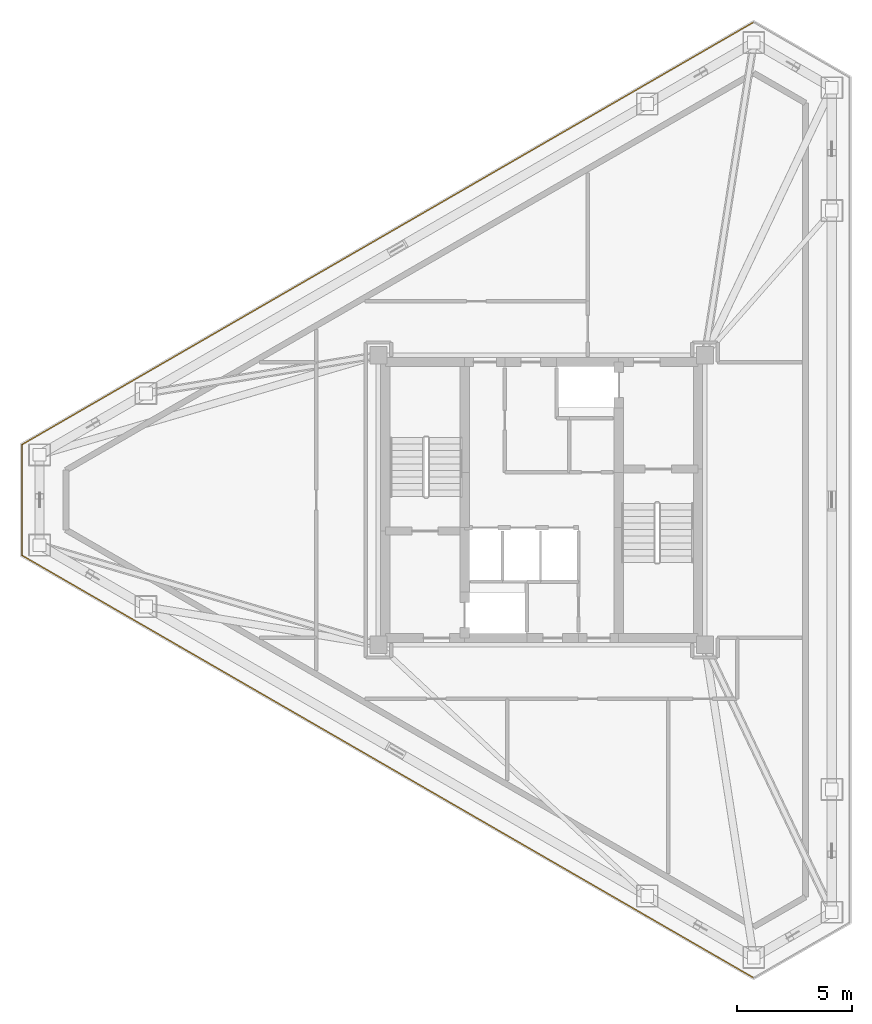
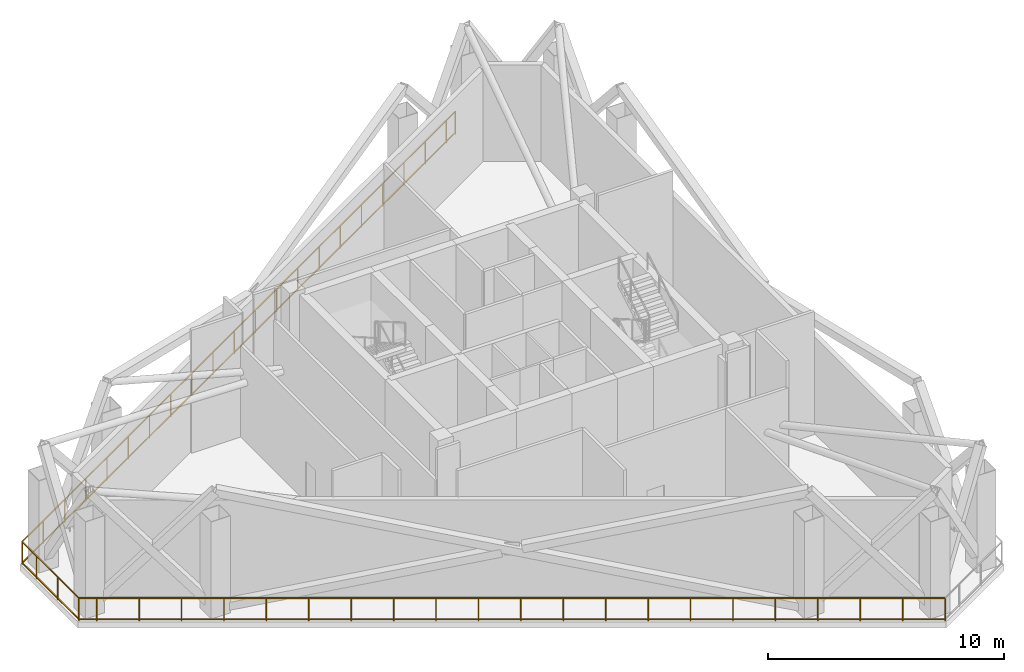
# One storey, part 5 of 6: 3 railings.
"""IFC4 building model written with IfcOpenShell, lengths in metres."""

from ifc_helpers import new_model, si_unit, direction, frame, origin, origin_2d, place, context, subcontext, project, spatial, rectangle, extrude, material, type_object, element, save


model = new_model("IFC4")

# Units and contexts
model_context = context("Model", 3, precision=1e-05, world=origin(), true_north=direction((0.0, 1.0)))
body_context = subcontext(model_context, "Body", "Model", "MODEL_VIEW")
ifc_project = project(units=[si_unit("LENGTHUNIT", "METRE"), si_unit("AREAUNIT", "SQUARE_METRE"), si_unit("VOLUMEUNIT", "CUBIC_METRE"), si_unit("PLANEANGLEUNIT", "RADIAN"), si_unit("MASSUNIT", "GRAM", prefix="KILO")], contexts=[model_context])

# Site, building, storey
site_placement = place(None, origin())
site = spatial("IfcSite", under=ifc_project, at=site_placement, CompositionType="ELEMENT")
building_placement = place(site_placement, origin())
building = spatial("IfcBuilding", under=site, at=building_placement, Name="Mersakhor Tower and Convention Hall", CompositionType="ELEMENT")
storey_placement = place(building_placement, frame((0.0, 0.0, 160.800048828125)))
storey = spatial("IfcBuildingStorey", under=building, at=storey_placement, Name="L45", CompositionType="ELEMENT", Elevation=160.800048828125)

# Railings
ifc_material = material(Name="Powder-coated galvanised steel and laminated glass balustrade", Category="steel")
railing_type = type_object("IfcRailingType", Name="RL-BAL-1200", PredefinedType="BALUSTRADE", material=ifc_material)
railing_1_placement = place(storey_placement, frame((6.390380859375, 29.15673828125, 0.0)))
element("IfcRailing", 1, at=railing_1_placement, inside=storey, type_object=railing_type, Name="L45 Open Wind Deck Perimeter Balustrade 1", PredefinedType="BALUSTRADE", context=body_context, shape_type="SweptSolid", body=[
    extrude(rectangle(XDim=0.048095703125, YDim=0.048095703125, at=origin_2d()), frame((0.0, 0.0, 1.17578125), z_axis=(0.86602430704, 0.500001899612, 0.0), x_axis=(-0.500001899612, 0.86602430704, 0.0)), (0.0, 0.0, 1.0), 36.754150390625),
    extrude(rectangle(XDim=0.048095703125, YDim=0.048095703125, at=origin_2d()), frame((0.0, 0.0, 0.080078125), z_axis=(0.86602430704, 0.500001899612, 0.0), x_axis=(-0.500001899612, 0.86602430704, 0.0)), (0.0, 0.0, 1.0), 36.754150390625),
    extrude(rectangle(XDim=0.0419921875, YDim=0.0419921875, at=origin_2d()), origin(), (0.0, 0.0, 1.0), 1.15185546875),
    extrude(rectangle(XDim=0.0419921875, YDim=0.0419921875, at=origin_2d()), frame((1.558837890625, 0.89990234375, 0.0)), (0.0, 0.0, 1.0), 1.15185546875),
    extrude(rectangle(XDim=0.0419921875, YDim=0.0419921875, at=origin_2d()), frame((3.11767578125, 1.800048828125, 0.0)), (0.0, 0.0, 1.0), 1.15185546875),
    extrude(rectangle(XDim=0.0419921875, YDim=0.0419921875, at=origin_2d()), frame((4.676513671875, 2.699951171875, 0.0)), (0.0, 0.0, 1.0), 1.15185546875),
    extrude(rectangle(XDim=0.0419921875, YDim=0.0419921875, at=origin_2d()), frame((6.2353515625, 3.60009765625, 0.0)), (0.0, 0.0, 1.0), 1.15185546875),
    extrude(rectangle(XDim=0.0419921875, YDim=0.0419921875, at=origin_2d()), frame((7.794189453125, 4.5, 0.0)), (0.0, 0.0, 1.0), 1.15185546875),
    extrude(rectangle(XDim=0.0419921875, YDim=0.0419921875, at=origin_2d()), frame((9.35302734375, 5.39990234375, 0.0)), (0.0, 0.0, 1.0), 1.15185546875),
    extrude(rectangle(XDim=0.0419921875, YDim=0.0419921875, at=origin_2d()), frame((10.911865234375, 6.300048828125, 0.0)), (0.0, 0.0, 1.0), 1.15185546875),
    extrude(rectangle(XDim=0.0419921875, YDim=0.0419921875, at=origin_2d()), frame((12.470703125, 7.199951171875, 0.0)), (0.0, 0.0, 1.0), 1.15185546875),
    extrude(rectangle(XDim=0.0419921875, YDim=0.0419921875, at=origin_2d()), frame((14.029541015625, 8.10009765625, 0.0)), (0.0, 0.0, 1.0), 1.15185546875),
    extrude(rectangle(XDim=0.0419921875, YDim=0.0419921875, at=origin_2d()), frame((15.58837890625, 9.0, 0.0)), (0.0, 0.0, 1.0), 1.15185546875),
    extrude(rectangle(XDim=0.0419921875, YDim=0.0419921875, at=origin_2d()), frame((17.147216796875, 9.900146484375, 0.0)), (0.0, 0.0, 1.0), 1.15185546875),
    extrude(rectangle(XDim=0.0419921875, YDim=0.0419921875, at=origin_2d()), frame((18.7060546875, 10.800048828125, 0.0)), (0.0, 0.0, 1.0), 1.15185546875),
    extrude(rectangle(XDim=0.0419921875, YDim=0.0419921875, at=origin_2d()), frame((20.264892578125, 11.699951171875, 0.0)), (0.0, 0.0, 1.0), 1.15185546875),
    extrude(rectangle(XDim=0.0419921875, YDim=0.0419921875, at=origin_2d()), frame((21.82373046875, 12.60009765625, 0.0)), (0.0, 0.0, 1.0), 1.15185546875),
    extrude(rectangle(XDim=0.0419921875, YDim=0.0419921875, at=origin_2d()), frame((23.382568359375, 13.5, 0.0)), (0.0, 0.0, 1.0), 1.15185546875),
    extrude(rectangle(XDim=0.0419921875, YDim=0.0419921875, at=origin_2d()), frame((24.94140625, 14.400146484375, 0.0)), (0.0, 0.0, 1.0), 1.15185546875),
    extrude(rectangle(XDim=0.0419921875, YDim=0.0419921875, at=origin_2d()), frame((26.500244140625, 15.300048828125, 0.0)), (0.0, 0.0, 1.0), 1.15185546875),
    extrude(rectangle(XDim=0.0419921875, YDim=0.0419921875, at=origin_2d()), frame((28.05908203125, 16.199951171875, 0.0)), (0.0, 0.0, 1.0), 1.15185546875),
    extrude(rectangle(XDim=0.0419921875, YDim=0.0419921875, at=origin_2d()), frame((29.617919921875, 17.10009765625, 0.0)), (0.0, 0.0, 1.0), 1.15185546875),
    extrude(rectangle(XDim=0.0419921875, YDim=0.0419921875, at=origin_2d()), frame((31.1767578125, 18.0, 0.0)), (0.0, 0.0, 1.0), 1.15185546875),
    extrude(rectangle(XDim=0.0419921875, YDim=0.0419921875, at=origin_2d()), frame((31.830078125, 18.377197265625, 0.0)), (0.0, 0.0, 1.0), 1.15185546875),
])
railing_2_placement = place(storey_placement, frame((38.220458984375, 5.966064453125, 0.0)))
element("IfcRailing", 2, at=railing_2_placement, inside=storey, type_object=railing_type, Name="L45 Open Wind Deck Perimeter Balustrade 5", PredefinedType="BALUSTRADE", context=body_context, shape_type="SweptSolid", body=[
    extrude(rectangle(XDim=0.048095703125, YDim=0.048095703125, at=origin_2d()), frame((0.0, 0.0, 1.17578125), z_axis=(-0.86602430704, 0.500001899612, 0.0), x_axis=(-0.500001899612, -0.86602430704, 0.0)), (0.0, 0.0, 1.0), 36.754150390625),
    extrude(rectangle(XDim=0.048095703125, YDim=0.048095703125, at=origin_2d()), frame((0.0, 0.0, 0.080078125), z_axis=(-0.86602430704, 0.500001899612, 0.0), x_axis=(-0.500001899612, -0.86602430704, 0.0)), (0.0, 0.0, 1.0), 36.754150390625),
    extrude(rectangle(XDim=0.0419921875, YDim=0.0419921875, at=origin_2d()), origin(), (0.0, 0.0, 1.0), 1.15185546875),
    extrude(rectangle(XDim=0.0419921875, YDim=0.0419921875, at=origin_2d()), frame((-1.558837890625, 0.89990234375, 0.0)), (0.0, 0.0, 1.0), 1.15185546875),
    extrude(rectangle(XDim=0.0419921875, YDim=0.0419921875, at=origin_2d()), frame((-3.11767578125, 1.800048828125, 0.0)), (0.0, 0.0, 1.0), 1.15185546875),
    extrude(rectangle(XDim=0.0419921875, YDim=0.0419921875, at=origin_2d()), frame((-4.676513671875, 2.699951171875, 0.0)), (0.0, 0.0, 1.0), 1.15185546875),
    extrude(rectangle(XDim=0.0419921875, YDim=0.0419921875, at=origin_2d()), frame((-6.2353515625, 3.60009765625, 0.0)), (0.0, 0.0, 1.0), 1.15185546875),
    extrude(rectangle(XDim=0.0419921875, YDim=0.0419921875, at=origin_2d()), frame((-7.794189453125, 4.5, 0.0)), (0.0, 0.0, 1.0), 1.15185546875),
    extrude(rectangle(XDim=0.0419921875, YDim=0.0419921875, at=origin_2d()), frame((-9.35302734375, 5.39990234375, 0.0)), (0.0, 0.0, 1.0), 1.15185546875),
    extrude(rectangle(XDim=0.0419921875, YDim=0.0419921875, at=origin_2d()), frame((-10.911865234375, 6.300048828125, 0.0)), (0.0, 0.0, 1.0), 1.15185546875),
    extrude(rectangle(XDim=0.0419921875, YDim=0.0419921875, at=origin_2d()), frame((-12.470703125, 7.199951171875, 0.0)), (0.0, 0.0, 1.0), 1.15185546875),
    extrude(rectangle(XDim=0.0419921875, YDim=0.0419921875, at=origin_2d()), frame((-14.029541015625, 8.10009765625, 0.0)), (0.0, 0.0, 1.0), 1.15185546875),
    extrude(rectangle(XDim=0.0419921875, YDim=0.0419921875, at=origin_2d()), frame((-15.58837890625, 9.0, 0.0)), (0.0, 0.0, 1.0), 1.15185546875),
    extrude(rectangle(XDim=0.0419921875, YDim=0.0419921875, at=origin_2d()), frame((-17.147216796875, 9.900146484375, 0.0)), (0.0, 0.0, 1.0), 1.15185546875),
    extrude(rectangle(XDim=0.0419921875, YDim=0.0419921875, at=origin_2d()), frame((-18.7060546875, 10.800048828125, 0.0)), (0.0, 0.0, 1.0), 1.15185546875),
    extrude(rectangle(XDim=0.0419921875, YDim=0.0419921875, at=origin_2d()), frame((-20.264892578125, 11.699951171875, 0.0)), (0.0, 0.0, 1.0), 1.15185546875),
    extrude(rectangle(XDim=0.0419921875, YDim=0.0419921875, at=origin_2d()), frame((-21.82373046875, 12.60009765625, 0.0)), (0.0, 0.0, 1.0), 1.15185546875),
    extrude(rectangle(XDim=0.0419921875, YDim=0.0419921875, at=origin_2d()), frame((-23.382568359375, 13.5, 0.0)), (0.0, 0.0, 1.0), 1.15185546875),
    extrude(rectangle(XDim=0.0419921875, YDim=0.0419921875, at=origin_2d()), frame((-24.94140625, 14.400146484375, 0.0)), (0.0, 0.0, 1.0), 1.15185546875),
    extrude(rectangle(XDim=0.0419921875, YDim=0.0419921875, at=origin_2d()), frame((-26.500244140625, 15.300048828125, 0.0)), (0.0, 0.0, 1.0), 1.15185546875),
    extrude(rectangle(XDim=0.0419921875, YDim=0.0419921875, at=origin_2d()), frame((-28.05908203125, 16.199951171875, 0.0)), (0.0, 0.0, 1.0), 1.15185546875),
    extrude(rectangle(XDim=0.0419921875, YDim=0.0419921875, at=origin_2d()), frame((-29.617919921875, 17.10009765625, 0.0)), (0.0, 0.0, 1.0), 1.15185546875),
    extrude(rectangle(XDim=0.0419921875, YDim=0.0419921875, at=origin_2d()), frame((-31.1767578125, 18.0, 0.0)), (0.0, 0.0, 1.0), 1.15185546875),
    extrude(rectangle(XDim=0.0419921875, YDim=0.0419921875, at=origin_2d()), frame((-31.830078125, 18.377197265625, 0.0)), (0.0, 0.0, 1.0), 1.15185546875),
])
railing_3_placement = place(storey_placement, frame((6.390380859375, 24.34326171875, 0.0)))
element("IfcRailing", 3, at=railing_3_placement, inside=storey, type_object=railing_type, Name="L45 Open Wind Deck Perimeter Balustrade 6", PredefinedType="BALUSTRADE", context=body_context, shape_type="SweptSolid", body=[
    extrude(rectangle(XDim=0.048095703125, YDim=0.048095703125, at=origin_2d()), frame((0.0, 0.0, 1.17578125), z_axis=(0.0, 1.0, 0.0), x_axis=(-1.0, 0.0, 0.0)), (0.0, 0.0, 1.0), 4.8134765625),
    extrude(rectangle(XDim=0.048095703125, YDim=0.048095703125, at=origin_2d()), frame((0.0, 0.0, 0.080078125), z_axis=(0.0, 1.0, 0.0), x_axis=(-1.0, 0.0, 0.0)), (0.0, 0.0, 1.0), 4.8134765625),
    extrude(rectangle(XDim=0.0419921875, YDim=0.0419921875, at=origin_2d()), origin(), (0.0, 0.0, 1.0), 1.15185546875),
    extrude(rectangle(XDim=0.0419921875, YDim=0.0419921875, at=origin_2d()), frame((0.0, 1.800048828125, 0.0)), (0.0, 0.0, 1.0), 1.15185546875),
    extrude(rectangle(XDim=0.0419921875, YDim=0.0419921875, at=origin_2d()), frame((0.0, 3.60009765625, 0.0)), (0.0, 0.0, 1.0), 1.15185546875),
    extrude(rectangle(XDim=0.0419921875, YDim=0.0419921875, at=origin_2d()), frame((0.0, 4.8134765625, 0.0)), (0.0, 0.0, 1.0), 1.15185546875),
])

save(model, "model.ifc")
